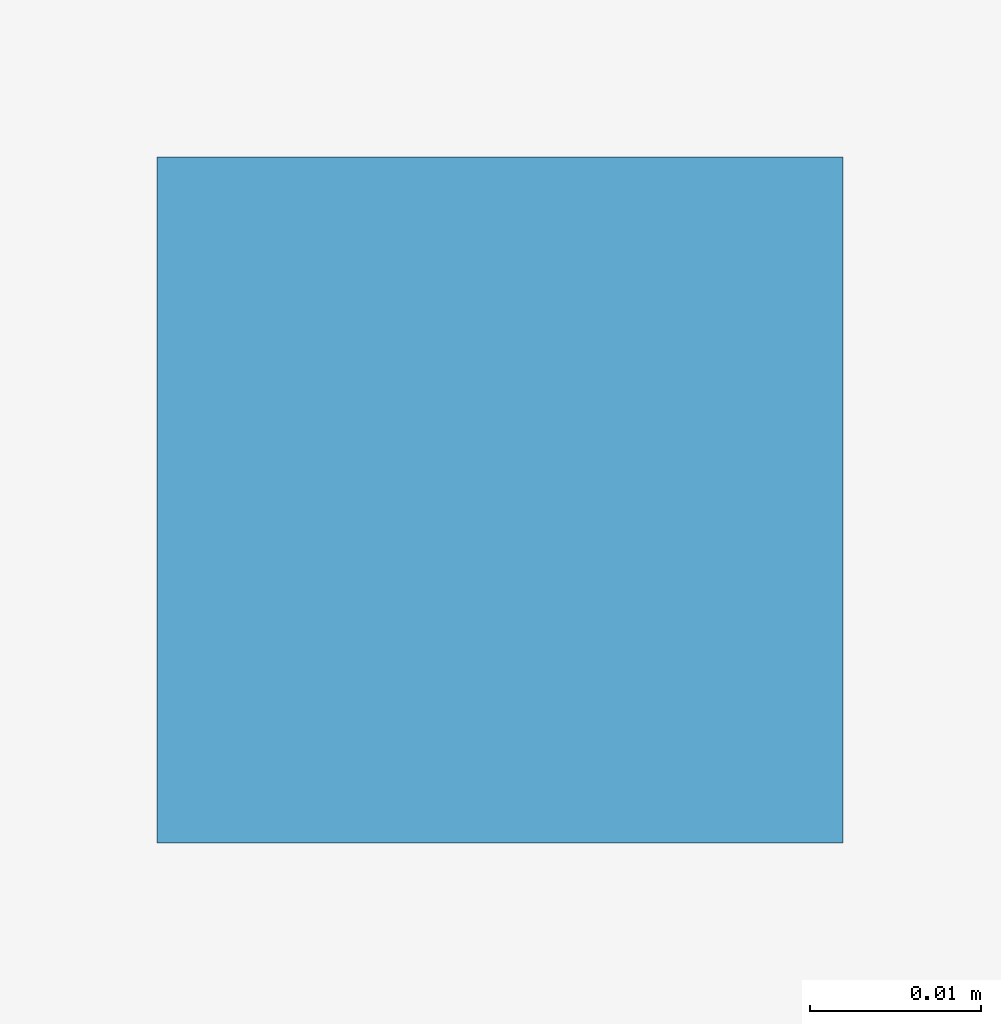
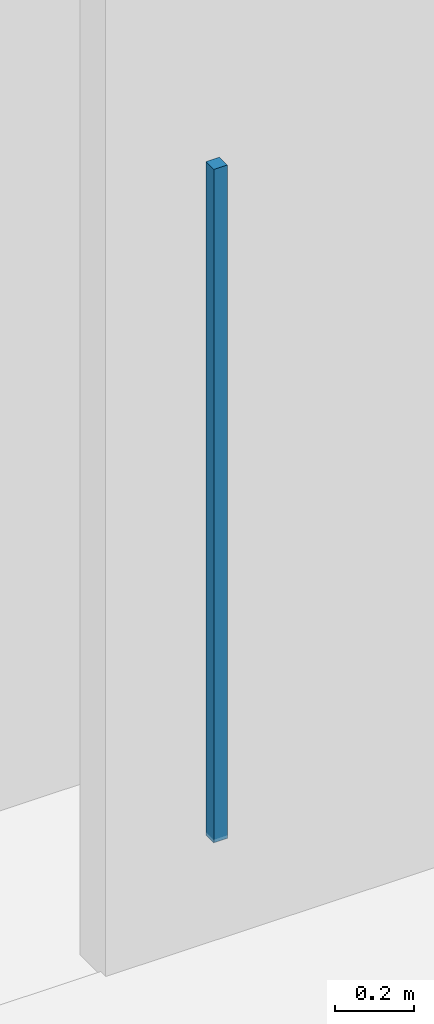
# One storey, part 84 of 167: 1 discrete accessory.
"""IFC4 building model written with IfcOpenShell, lengths in metres."""

from ifc_helpers import new_model, si_unit, direction, frame, origin, origin_2d, place, context, subcontext, project, spatial, rectangle, extrude, material, type_object, element, save


model = new_model("IFC4")

# Units and contexts
model_context = context("Model", 3, precision=1e-05, world=origin(), true_north=direction((0.0, 1.0)))
body_context = subcontext(model_context, "Body", "Model", "MODEL_VIEW")
ifc_project = project(units=[si_unit("LENGTHUNIT", "METRE"), si_unit("AREAUNIT", "SQUARE_METRE"), si_unit("VOLUMEUNIT", "CUBIC_METRE"), si_unit("PLANEANGLEUNIT", "RADIAN"), si_unit("MASSUNIT", "GRAM", prefix="KILO")], contexts=[model_context])

# Site, building, storey
site_placement = place(None, origin())
site = spatial("IfcSite", under=ifc_project, at=site_placement, CompositionType="ELEMENT")
building_placement = place(site_placement, origin())
building = spatial("IfcBuilding", under=site, at=building_placement, Name="Varncliffe General Hospital", CompositionType="ELEMENT")
storey_placement = place(building_placement, origin())
storey = spatial("IfcBuildingStorey", under=building, at=storey_placement, Name="L00", CompositionType="ELEMENT", Elevation=0.0)

# Discrete accessory
ifc_material = material(Name="Powder-coated hospital steel guardrail and handrail", Category="steel")
discrete_accessory_type = type_object("IfcDiscreteAccessoryType", Name="Suspended Ceiling Hanger Bracket CH01", PredefinedType="BRACKET", material=ifc_material)
discrete_accessory_placement = place(storey_placement, frame((61.699951171875, 11.199951171875, 3.18994140625), z_axis=(0.0, 0.0, 1.0), x_axis=(1.0, 0.0, 0.0)))
element("IfcDiscreteAccessory", 1, at=discrete_accessory_placement, inside=storey, type_object=discrete_accessory_type, Name="L00 Suspended Ceiling Hanger 10", PredefinedType="BRACKET", context=body_context, shape_type="SweptSolid", body=[
    extrude(rectangle(XDim=0.0400390625, YDim=0.0400390625, at=origin_2d()), origin(), (0.0, 0.0, 1.0), 2.090087890625),
])

save(model, "model.ifc")
